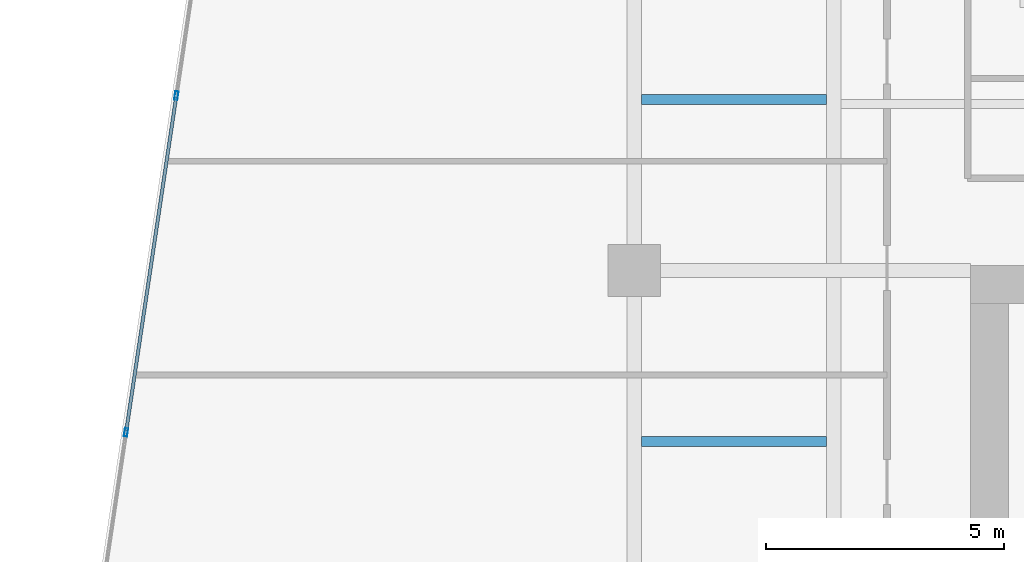
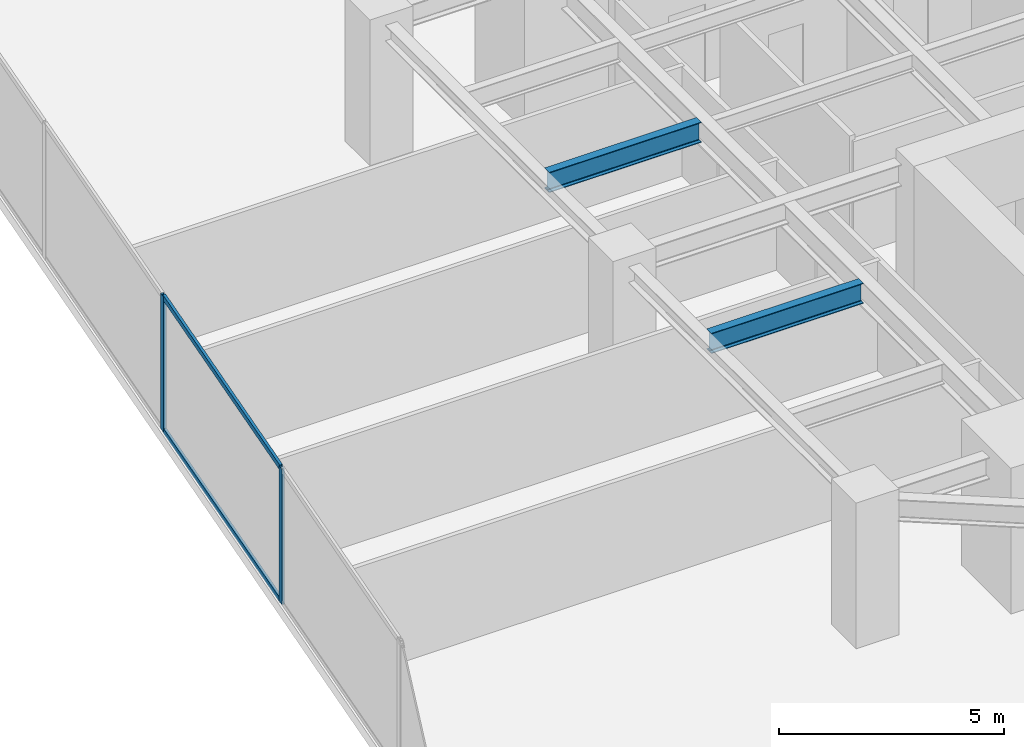
# One storey, part 8 of 29: 4 members, 2 beams, 1 element without a shape of its own.
"""IFC4 building model written with IfcOpenShell, lengths in metres."""

from ifc_helpers import new_model, si_unit, direction, frame, origin, origin_2d, place, context, subcontext, project, spatial, hollow_rectangle, i_section, extrude, source, transform, mapped, material, material_profile, profile_set, type_object, type_shapes, element, aggregate, save


model = new_model("IFC4")

# Units and contexts
model_context = context("Model", 3, precision=1e-05, world=origin(), true_north=direction((0.0, 1.0)))
body_context = subcontext(model_context, "Body", "Model", "MODEL_VIEW")
ifc_project = project(units=[si_unit("LENGTHUNIT", "METRE"), si_unit("AREAUNIT", "SQUARE_METRE"), si_unit("VOLUMEUNIT", "CUBIC_METRE"), si_unit("PLANEANGLEUNIT", "RADIAN"), si_unit("MASSUNIT", "GRAM", prefix="KILO")], contexts=[model_context])

# Site, building, storey
site_placement = place(None, origin())
site = spatial("IfcSite", under=ifc_project, at=site_placement, CompositionType="ELEMENT")
building_placement = place(site_placement, origin())
building = spatial("IfcBuilding", under=site, at=building_placement, Name="Krantzveldt Concourse Tower", CompositionType="ELEMENT")
storey_placement = place(building_placement, frame((0.0, 0.0, 72.39990234375)))
storey = spatial("IfcBuildingStorey", under=building, at=storey_placement, Name="L17", CompositionType="ELEMENT", Elevation=72.39990234375)

# Beams
ifc_material_1 = material(Name="Steel S355JR", Category="steel")
ifc_material_profile_1 = material_profile(ifc_material_1, i_section(OverallWidth=0.2099609375, OverallDepth=0.550048828125, WebThickness=0.010986328125, FlangeThickness=0.01708984375, FilletRadius=0.02392578125, at=origin_2d()), Name="Steel S355JR", Category="steel")
ifc_profile_set_1 = profile_set([ifc_material_profile_1], Name="Steel S355JR - IPE 550")
beam_type = type_object("IfcBeamType", Name="BM-J-IPE550", PredefinedType="JOIST", material=ifc_profile_set_1)
shared_shape_1 = source(origin(), body_context, "Body", "SweptSolid", [
    extrude(i_section(OverallWidth=0.2099609375, OverallDepth=0.550048828125, WebThickness=0.010986328125, FlangeThickness=0.01708984375, FilletRadius=0.02392578125, at=origin_2d()), origin(), (0.0, 0.0, 1.0), 3.900146484375),
])
type_shapes(beam_type, [shared_shape_1])
for number, where, z_axis, x_axis, name in (
    (1, (21.14990234375, 23.10009765625, 3.39501953125), (1.0, 0.0, 0.0), (0.0, 1.0, 0.0), "L17 Secondary Floor Joist JW-2"),
    (2, (21.14990234375, 30.300048828125, 3.39501953125), (1.0, 0.0, 0.0), (0.0, 1.0, 0.0), "L17 Secondary Floor Joist JW-3"),
):
    element("IfcBeam", number, at=place(storey_placement, frame(where, z_axis=z_axis, x_axis=x_axis)), inside=storey, type_object=beam_type, Name=name, PredefinedType="JOIST", context=body_context, shape_type="MappedRepresentation", body=[
        mapped(shared_shape_1, transform((0.0, 0.0, 0.0), x_axis=(1.0, 0.0, 0.0), y_axis=(0.0, 1.0, 0.0), z_axis=(0.0, 0.0, 1.0), scale=1.0)),
    ])

# Curtain wall, members
ifc_material_2 = material(Name="Anodised aluminium 6063-T6", Category="aluminium")
curtain_wall_type = type_object("IfcCurtainWallType", Name="CW2", PredefinedType="USERDEFINED", material=ifc_material_2)
curtain_wall_placement = place(storey_placement, origin())
curtain_wall = element("IfcCurtainWall", 3, at=curtain_wall_placement, inside=storey, type_object=curtain_wall_type, Name="CW-L17-F01", ObjectType="UNITISED CURTAIN WALL", PredefinedType="USERDEFINED")
ifc_material_profile_2 = material_profile(ifc_material_2, hollow_rectangle(XDim=0.070068359375, YDim=0.139892578125, WallThickness=0.0048828125, at=origin_2d()), Name="Anodised aluminium 6063-T6", Category="aluminium")
ifc_profile_set_2 = profile_set([ifc_material_profile_2], Name="Anodised aluminium 6063-T6 - ALU-TRAN 140x70x5")
member_type_1 = type_object("IfcMemberType", Name="CW-TRN-150", PredefinedType="USERDEFINED", material=ifc_profile_set_2)
shared_shape_2 = source(origin(), body_context, "Body", "SweptSolid", [
    extrude(hollow_rectangle(XDim=0.070068359375, YDim=0.139892578125, WallThickness=0.0048828125, at=origin_2d()), origin(), (0.0, 0.0, 1.0), 7.0966796875),
])
type_shapes(member_type_1, [shared_shape_2])
member_1_placement = place(storey_placement, frame((11.3583984375, 30.347412109375, 0.03515625), z_axis=(-0.14779033687, -0.989018713841, 0.0), x_axis=(0.989018713841, -0.14779033687, 0.0)))
member_1 = element("IfcMember", 4, at=member_1_placement, type_object=member_type_1, Name="CW-Z12 transom 4.1", ObjectType="TRANSOM", PredefinedType="USERDEFINED", context=body_context, shape_type="MappedRepresentation", body=[
    mapped(shared_shape_2, transform((0.0, 0.0, 0.0), x_axis=(1.0, 0.0, 0.0), y_axis=(0.0, 1.0, 0.0), z_axis=(0.0, 0.0, 1.0), scale=1.0)),
])
member_2_placement = place(storey_placement, frame((11.3583984375, 30.347412109375, 3.635009765625), z_axis=(-0.14779033687, -0.989018713841, 0.0), x_axis=(0.989018713841, -0.14779033687, 0.0)))
member_2 = element("IfcMember", 5, at=member_2_placement, type_object=member_type_1, Name="CW-Z12 transom 4.2", ObjectType="TRANSOM", PredefinedType="USERDEFINED", context=body_context, shape_type="MappedRepresentation", body=[
    mapped(shared_shape_2, transform((0.0, 0.0, 0.0), x_axis=(1.0, 0.0, 0.0), y_axis=(0.0, 1.0, 0.0), z_axis=(0.0, 0.0, 1.0), scale=1.0)),
])
ifc_material_profile_3 = material_profile(ifc_material_2, hollow_rectangle(XDim=0.070068359375, YDim=0.179931640625, WallThickness=0.0048828125, at=origin_2d()), Name="Anodised aluminium 6063-T6", Category="aluminium")
ifc_profile_set_3 = profile_set([ifc_material_profile_3], Name="Anodised aluminium 6063-T6 - ALU-MULL 180x70x5")
member_type_2 = type_object("IfcMemberType", Name="CW-MUL-180", PredefinedType="MULLION", material=ifc_profile_set_3)
shared_shape_3 = source(origin(), body_context, "Body", "SweptSolid", [
    extrude(hollow_rectangle(XDim=0.070068359375, YDim=0.179931640625, WallThickness=0.0048828125, at=origin_2d()), origin(), (0.0, 0.0, 1.0), 3.670166015625),
])
type_shapes(member_type_2, [shared_shape_3])
member_3_placement = place(storey_placement, frame((11.363525390625, 30.3818359375, 0.0), z_axis=(0.0, 0.0, 1.0), x_axis=(0.989015849271, -0.147809505412, 0.0)))
member_3 = element("IfcMember", 6, at=member_3_placement, type_object=member_type_2, Name="CW-Z12 mullion 4", PredefinedType="MULLION", context=body_context, shape_type="MappedRepresentation", body=[
    mapped(shared_shape_3, transform((0.0, 0.0, 0.0), x_axis=(1.0, 0.0, 0.0), y_axis=(0.0, 1.0, 0.0), z_axis=(0.0, 0.0, 1.0), scale=1.0)),
])
member_4_placement = place(storey_placement, frame((10.30419921875, 23.2939453125, 0.0), z_axis=(0.0, 0.0, 1.0), x_axis=(0.989015849271, -0.147809505412, 0.0)))
member_4 = element("IfcMember", 7, at=member_4_placement, type_object=member_type_2, Name="CW-Z12 mullion 5", PredefinedType="MULLION", context=body_context, shape_type="MappedRepresentation", body=[
    mapped(shared_shape_3, transform((0.0, 0.0, 0.0), x_axis=(1.0, 0.0, 0.0), y_axis=(0.0, 1.0, 0.0), z_axis=(0.0, 0.0, 1.0), scale=1.0)),
])
aggregate(curtain_wall, [member_3, member_4, member_1, member_2])

save(model, "model.ifc")
